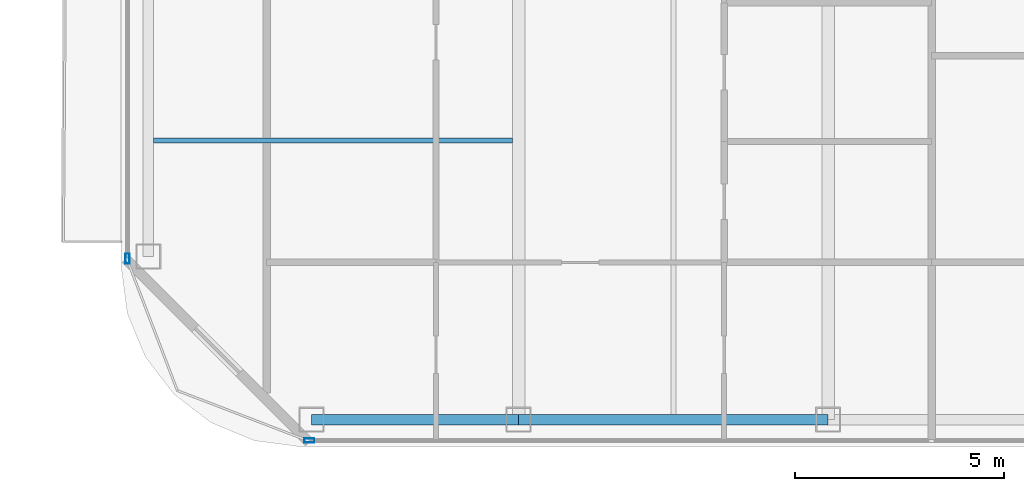
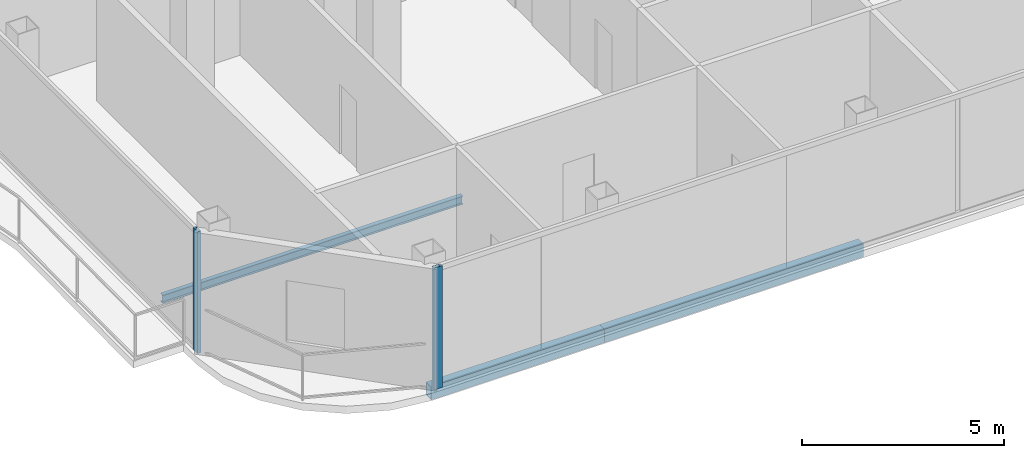
# One storey, part 2 of 23: 3 beams, 2 members, 2 elements without a shape of their own.
"""IFC4 building model written with IfcOpenShell, lengths in metres."""

from ifc_helpers import new_model, si_unit, direction, frame, origin, origin_2d, place, context, subcontext, project, spatial, hollow_rectangle, i_section, extrude, material, layer, layer_set, material_profile, profile_set, type_object, element, aggregate, save


model = new_model("IFC4")

# Units and contexts
model_context = context("Model", 3, precision=1e-05, world=origin(), true_north=direction((0.0, 1.0)))
body_context = subcontext(model_context, "Body", "Model", "MODEL_VIEW")
ifc_project = project(units=[si_unit("LENGTHUNIT", "METRE"), si_unit("AREAUNIT", "SQUARE_METRE"), si_unit("VOLUMEUNIT", "CUBIC_METRE"), si_unit("PLANEANGLEUNIT", "RADIAN"), si_unit("MASSUNIT", "GRAM", prefix="KILO")], contexts=[model_context])

# Site, building, storey
site_placement = place(None, origin())
site = spatial("IfcSite", under=ifc_project, at=site_placement, CompositionType="ELEMENT")
building_placement = place(site_placement, origin())
building = spatial("IfcBuilding", under=site, at=building_placement, Name="Khorvyn Point Tower", CompositionType="ELEMENT")
storey_placement = place(building_placement, frame((0.0, 0.0, 195.300048828125)))
storey = spatial("IfcBuildingStorey", under=building, at=storey_placement, Name="L48", CompositionType="ELEMENT", Elevation=195.300048828125)

# Curtain wall, member
ifc_material_1 = material(Name="Anodised aluminium 6063-T6 and laminated Low-E glass", Category="aluminium")
ifc_layer = layer(ifc_material_1, 0.18994140625)
ifc_layer_set = layer_set([ifc_layer], Name="Stick-Built Acoustic Curtain Wall CW-SYS-03")
curtain_wall_type = type_object("IfcCurtainWallType", Name="Stick-Built Acoustic Curtain Wall CW-SYS-03", PredefinedType="NOTDEFINED", material=ifc_layer_set)
curtain_wall_1_placement = place(storey_placement, origin())
curtain_wall_1 = element("IfcCurtainWall", 1, at=curtain_wall_1_placement, inside=storey, type_object=curtain_wall_type, Name="Curtain Wall", PredefinedType="NOTDEFINED")
ifc_material_2 = material(Name="Anodised aluminium 6063-T6", Category="aluminium")
ifc_material_profile_1 = material_profile(ifc_material_2, hollow_rectangle(XDim=0.10009765625, YDim=0.239990234375, WallThickness=0.0048828125, at=origin_2d()))
ifc_profile_set_1 = profile_set([ifc_material_profile_1], Name="Anodised aluminium 6063-T6 ALU-MUL-100x240")
member_type = type_object("IfcMemberType", Name="Anodised Aluminium 6063-T6 Mullion ALU-MUL-100x240", PredefinedType="MULLION", material=ifc_profile_set_1)
member_1_placement = place(storey_placement, frame((-19.800048828125, -28.64990234375, 0.0), z_axis=(0.0, 0.0, 1.0), x_axis=(0.0, -1.0, 0.0)))
member_1 = element("IfcMember", 2, at=member_1_placement, type_object=member_type, Name="Transom", PredefinedType="MULLION", context=body_context, shape_type="SweptSolid", body=[
    extrude(hollow_rectangle(XDim=0.10009765625, YDim=0.239990234375, WallThickness=0.0048828125, at=origin_2d()), origin(), (0.0, 0.0, 1.0), 3.679931640625),
])
aggregate(curtain_wall_1, [member_1])

curtain_wall_2_placement = place(storey_placement, origin())
curtain_wall_2 = element("IfcCurtainWall", 3, at=curtain_wall_2_placement, inside=storey, type_object=curtain_wall_type, Name="Curtain Wall", PredefinedType="NOTDEFINED")
member_2_placement = place(storey_placement, frame((-24.14990234375, -24.300048828125, 0.0), z_axis=(0.0, 0.0, 1.0), x_axis=(-1.0, 0.0, 0.0)))
member_2 = element("IfcMember", 4, at=member_2_placement, type_object=member_type, Name="Transom", PredefinedType="MULLION", context=body_context, shape_type="SweptSolid", body=[
    extrude(hollow_rectangle(XDim=0.10009765625, YDim=0.239990234375, WallThickness=0.0048828125, at=origin_2d()), origin(), (0.0, 0.0, 1.0), 3.679931640625),
])
aggregate(curtain_wall_2, [member_2])

# Beams
ifc_material_3 = material(Name="Steel S355", Category="steel")
ifc_material_profile_2 = material_profile(ifc_material_3, i_section(OverallWidth=0.125, OverallDepth=0.25, WebThickness=0.006103515625, FlangeThickness=0.009033203125, at=origin_2d()))
ifc_profile_set_2 = profile_set([ifc_material_profile_2], Name="Steel S355 H250x125x6x9")
beam_type_1 = type_object("IfcBeamType", Name="Steel S355 Joist H250x125x6x9", PredefinedType="JOIST", material=ifc_profile_set_2)
beam_1_placement = place(storey_placement, frame((-23.52490234375, -21.47509765625, -0.344970703125), z_axis=(1.0, 0.0, 0.0), x_axis=(0.0, 1.0, 0.0)))
element("IfcBeam", 5, at=beam_1_placement, inside=storey, type_object=beam_type_1, Name="Beam", PredefinedType="JOIST", context=body_context, shape_type="SweptSolid", body=[
    extrude(i_section(OverallWidth=0.125, OverallDepth=0.25, WebThickness=0.006103515625, FlangeThickness=0.009033203125, at=origin_2d()), origin(), (0.0, 0.0, 1.0), 8.574951171875),
])
ifc_material_profile_3 = material_profile(ifc_material_3, hollow_rectangle(XDim=0.25, YDim=0.39990234375, WallThickness=0.01611328125, at=origin_2d()))
ifc_profile_set_3 = profile_set([ifc_material_profile_3], Name="Steel S355 RHS400x250x16")
beam_type_2 = type_object("IfcBeamType", Name="Steel S355 Spandrel RHS400x250x16", PredefinedType="SPANDREL", material=ifc_profile_set_3)
beam_2_placement = place(storey_placement, frame((-19.75, -28.14990234375, -0.420166015625), z_axis=(1.0, 0.0, 0.0), x_axis=(0.0, 1.0, 0.0)))
element("IfcBeam", 6, at=beam_2_placement, inside=storey, type_object=beam_type_2, Name="Beam", PredefinedType="SPANDREL", context=body_context, shape_type="SweptSolid", body=[
    extrude(hollow_rectangle(XDim=0.25, YDim=0.39990234375, WallThickness=0.01611328125, at=origin_2d()), origin(), (0.0, 0.0, 1.0), 4.949951171875),
])
beam_3_placement = place(storey_placement, frame((-14.800048828125, -28.14990234375, -0.420166015625), z_axis=(1.0, 0.0, 0.0), x_axis=(0.0, 1.0, 0.0)))
element("IfcBeam", 7, at=beam_3_placement, inside=storey, type_object=beam_type_2, Name="Beam", PredefinedType="SPANDREL", context=body_context, shape_type="SweptSolid", body=[
    extrude(hollow_rectangle(XDim=0.25, YDim=0.39990234375, WallThickness=0.01611328125, at=origin_2d()), origin(), (0.0, 0.0, 1.0), 7.400146484375),
])

save(model, "model.ifc")
